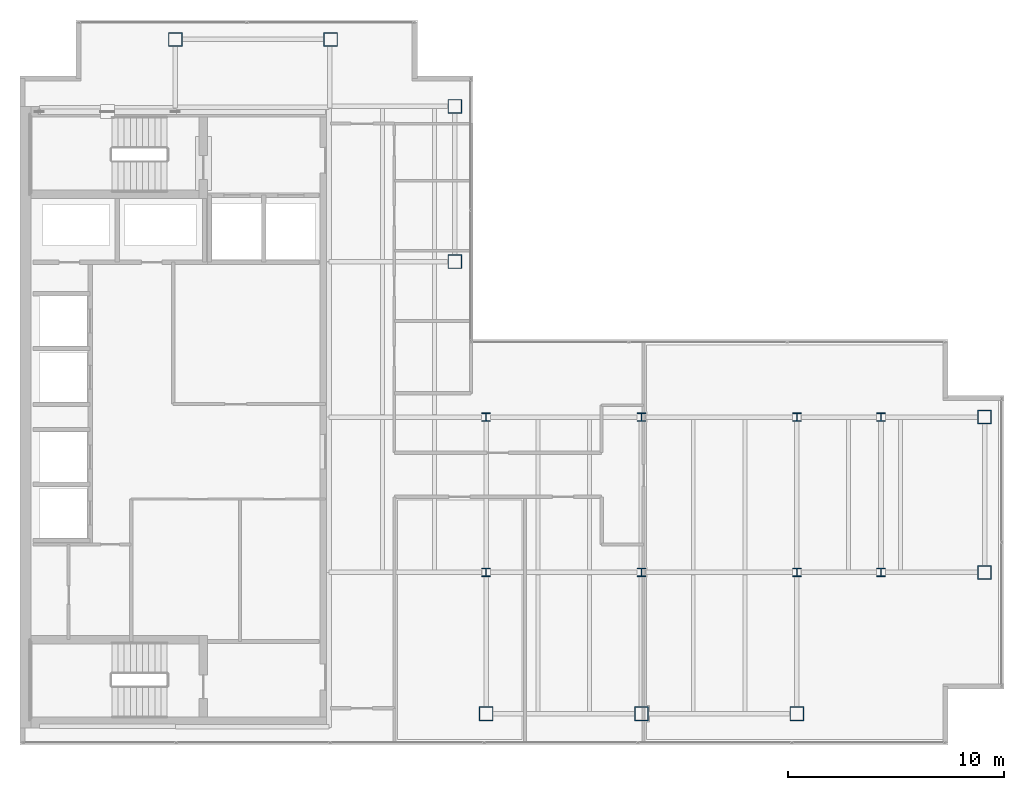
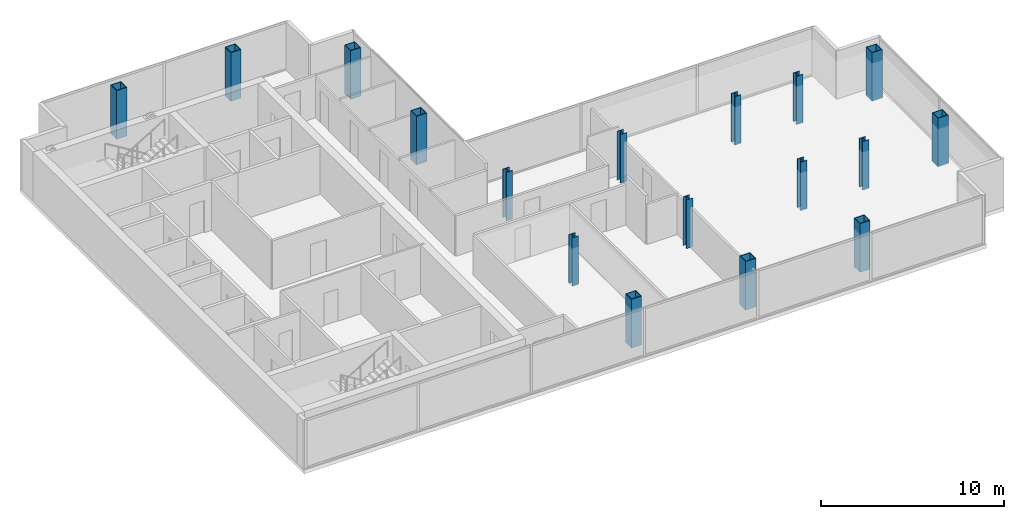
# One storey, part 1 of 23: 17 columns.
"""IFC4 building model written with IfcOpenShell, lengths in metres."""

import ifcopenshell
import ifcopenshell.guid

model = None  # the IFC model being written
_history = None  # IfcOwnerHistory: only IFC2X3 demands one
_inside = {}  # id of a spatial element -> (the spatial element, [elements in it])
_under = {}  # id of a project, library or spatial element -> (it, [spatial elements below it])
_declared = {}  # id of a project -> (the project, [libraries it declares])
_typed = {}  # id of a type object -> (the type object, [elements of that type])
_made_of = {}  # id of a material, layer set ... -> (it, [elements and type objects made of it])


def new_model(schema):
    """Start an empty IFC model of exactly this schema.

    Asked for "IFC4X3", IfcOpenShell would pick the latest addendum, in which some entities
    have other attributes; the version numbers below select the first issue.
    IFC2X3 requires an IfcOwnerHistory on every rooted entity: one is made here for all.
    """
    global model, _history
    if schema == "IFC4X3":
        model = ifcopenshell.file(schema_version=(4, 3, 0, 0))
    else:
        model = ifcopenshell.file(schema=schema)
    _inside.clear()
    _under.clear()
    _declared.clear()
    _typed.clear()
    _made_of.clear()
    _history = None
    if model.schema == "IFC2X3":
        org = make("IfcOrganization", Name="unknown")
        user = make(
            "IfcPersonAndOrganization",
            ThePerson=make("IfcPerson", FamilyName="unknown"),
            TheOrganization=org,
        )
        app = make(
            "IfcApplication",
            ApplicationDeveloper=org,
            Version="unknown",
            ApplicationFullName="unknown",
            ApplicationIdentifier="unknown",
        )
        _history = make(
            "IfcOwnerHistory",
            OwningUser=user,
            OwningApplication=app,
            ChangeAction="ADDED",
            CreationDate=0,
        )
    return model


def make(cls, **values):
    """One entity of the class cls with the attributes given. An attribute that is None is left unset."""
    return model.create_entity(
        cls, **{name: value for name, value in values.items() if value is not None}
    )


def rooted(cls, **values):
    """An entity with a GlobalId (a new one), such as an element, a storey or a relation."""
    return make(cls, GlobalId=ifcopenshell.guid.new(), OwnerHistory=_history, **values)


def si_unit(unit_type, name, prefix=None):
    """IfcSIUnit, for example si_unit("LENGTHUNIT", "METRE", prefix="MILLI")."""
    return make("IfcSIUnit", UnitType=unit_type, Prefix=prefix, Name=name)


def assignment(units):
    """IfcUnitAssignment: the units of a project."""
    return None if units is None else make("IfcUnitAssignment", Units=units)


def point(xyz):
    """IfcCartesianPoint."""
    return None if xyz is None else make("IfcCartesianPoint", Coordinates=xyz)


def direction(xyz):
    """IfcDirection."""
    return None if xyz is None else make("IfcDirection", DirectionRatios=xyz)


def frame(location, z_axis=None, x_axis=None):
    """IfcAxis2Placement3D, a coordinate frame: its origin and axes. An axis left out is left unset."""
    return make(
        "IfcAxis2Placement3D",
        Location=point(location),
        Axis=direction(z_axis),
        RefDirection=direction(x_axis),
    )


def frame_2d(location, x_axis=None):
    """IfcAxis2Placement2D, a coordinate frame in the plane: its origin and x axis."""
    return make(
        "IfcAxis2Placement2D", Location=point(location), RefDirection=direction(x_axis)
    )


def origin():
    """The frame at (0, 0, 0) with its axes left unset."""
    return frame((0.0, 0.0, 0.0))


def origin_2d():
    """The frame at (0, 0) in the plane with its x axis left unset."""
    return frame_2d((0.0, 0.0))


def place(relative_to, where):
    """IfcLocalPlacement: puts the frame where relative to a parent placement (None: the world)."""
    return make(
        "IfcLocalPlacement", PlacementRelTo=relative_to, RelativePlacement=where
    )


def context(
    kind, dimensions, precision=None, world=None, true_north=None, identifier=None
):
    """IfcGeometricRepresentationContext, for example the 3D "Model" context."""
    return make(
        "IfcGeometricRepresentationContext",
        ContextIdentifier=identifier,
        ContextType=kind,
        CoordinateSpaceDimension=dimensions,
        Precision=precision,
        WorldCoordinateSystem=world,
        TrueNorth=true_north,
    )


def subcontext(parent, identifier, kind, view, scale=None):
    """IfcGeometricRepresentationSubContext, for example "Body" below "Model"."""
    return make(
        "IfcGeometricRepresentationSubContext",
        ContextIdentifier=identifier,
        ContextType=kind,
        ParentContext=parent,
        TargetScale=scale,
        TargetView=view,
    )


def project(units=None, contexts=None):
    """IfcProject with its units and contexts."""
    return rooted(
        "IfcProject",
        Name="project",
        RepresentationContexts=contexts,
        UnitsInContext=assignment(units),
    )


def spatial(cls, under=None, at=None, **own):
    """A site, building, storey or space (cls), placed at a placement, below another one or the project."""
    s = rooted(cls, ObjectPlacement=at, **own)
    if under is not None:
        _under.setdefault(under.id(), (under, []))[1].append(s)
    return s


def profile(cls, at=None, kind="AREA", **sizes):
    """A parametric profile (cls). Its sizes go by their IFC names, for example OverallWidth=200.0."""
    return make(cls, ProfileType=kind, Position=at, **sizes)


def hollow_rectangle(**sizes):
    """IfcRectangleHollowProfileDef."""
    return profile("IfcRectangleHollowProfileDef", **sizes)


def i_section(**sizes):
    """IfcIShapeProfileDef."""
    return profile("IfcIShapeProfileDef", **sizes)


def extrude(swept, where, along, depth):
    """IfcExtrudedAreaSolid: the profile swept, set in the frame where, extruded along a direction by depth."""
    return make(
        "IfcExtrudedAreaSolid",
        SweptArea=swept,
        Position=where,
        ExtrudedDirection=direction(along),
        Depth=depth,
    )


def shape(context_of_items, identifier, shape_type, items):
    """IfcShapeRepresentation: the items that make up one representation, for example the "Body"."""
    return make(
        "IfcShapeRepresentation",
        ContextOfItems=context_of_items,
        RepresentationIdentifier=identifier,
        RepresentationType=shape_type,
        Items=items,
    )


def material(Name=None, Category=None):
    """IfcMaterial."""
    return make("IfcMaterial", Name=Name, Category=Category)


def material_profile(
    of_material, cross_section, Name=None, Category=None, Priority=None
):
    """IfcMaterialProfile: a cross section and its material."""
    return make(
        "IfcMaterialProfile",
        Name=Name,
        Material=of_material,
        Profile=cross_section,
        Priority=Priority,
        Category=Category,
    )


def profile_set(profiles, Name=None, composite=None):
    """IfcMaterialProfileSet."""
    return make(
        "IfcMaterialProfileSet",
        Name=Name,
        MaterialProfiles=profiles,
        CompositeProfile=composite,
    )


def made_of(thing, what):
    """Note that an element or type object is made of a material, layer set ...; save() writes the relation."""
    if what is not None:
        _made_of.setdefault(what.id(), (what, []))[1].append(thing)
    return thing


def type_object(cls, material=None, **own):
    """A type object (cls), such as IfcWallType, which elements share."""
    return made_of(rooted(cls, **own), material)


def element(
    cls,
    number,
    at=None,
    inside=None,
    cuts=None,
    type_object=None,
    material=None,
    context=None,
    identifier="Body",
    shape_type=None,
    held_by="IfcProductDefinitionShape",
    body=None,
    shapes=None,
    **own,
):
    """One element of the class cls, such as IfcWall. Its Tag is "e" and its number.

    at: its placement. inside: the storey or other place that contains it. cuts: it is an
    opening in that element (IfcRelVoidsElement). A single representation is given by context,
    identifier, shape_type and body (its items); several are given by shapes. held_by: the class
    of the entity that holds the representations. save() writes the other relations.
    """
    e = rooted(cls, Tag="e%d" % number, ObjectPlacement=at, **own)
    if body is not None:
        shapes = [shape(context, identifier, shape_type, body)]
    if shapes is not None:
        e.Representation = make(held_by, Representations=shapes)
    if inside is not None:
        _inside.setdefault(inside.id(), (inside, []))[1].append(e)
    if cuts is not None:
        rooted(
            "IfcRelVoidsElement", RelatingBuildingElement=cuts, RelatedOpeningElement=e
        )
    if type_object is not None:
        _typed.setdefault(type_object.id(), (type_object, []))[1].append(e)
    return made_of(e, material)


def aggregate(whole, parts):
    """IfcRelAggregates: a whole, such as a stair, and the parts it consists of."""
    return rooted("IfcRelAggregates", RelatingObject=whole, RelatedObjects=parts)


def save(model, path):
    """Write the relations noted so far, then the file.

    IfcRelAggregates (storeys below a building ...), IfcRelContainedInSpatialStructure (elements
    in a storey), IfcRelDefinesByType, IfcRelAssociatesMaterial and IfcRelDeclares: one each for
    every whole, place, type object, material and project.
    """
    for whole, parts in _under.values():
        aggregate(whole, parts)
    for where, things in _inside.values():
        rooted(
            "IfcRelContainedInSpatialStructure",
            RelatedElements=things,
            RelatingStructure=where,
        )
    for kind, things in _typed.values():
        rooted("IfcRelDefinesByType", RelatedObjects=things, RelatingType=kind)
    for what, things in _made_of.values():
        rooted("IfcRelAssociatesMaterial", RelatedObjects=things, RelatingMaterial=what)
    for by, libraries in _declared.values():
        rooted("IfcRelDeclares", RelatingContext=by, RelatedDefinitions=libraries)
    model.write(path)


model = new_model("IFC4")

# Units and contexts
model_context = context("Model", 3, precision=1e-05, world=origin(), true_north=direction((0.0, 1.0)))
body_context = subcontext(model_context, "Body", "Model", "MODEL_VIEW")
ifc_project = project(units=[si_unit("LENGTHUNIT", "METRE"), si_unit("AREAUNIT", "SQUARE_METRE"), si_unit("VOLUMEUNIT", "CUBIC_METRE"), si_unit("PLANEANGLEUNIT", "RADIAN"), si_unit("MASSUNIT", "GRAM", prefix="KILO")], contexts=[model_context])

# Site, building, storey
site_placement = place(None, origin())
site = spatial("IfcSite", under=ifc_project, at=site_placement, CompositionType="ELEMENT")
building_placement = place(site_placement, origin())
building = spatial("IfcBuilding", under=site, at=building_placement, Name="Cobrela Telecom Tower", CompositionType="ELEMENT")
storey_placement = place(building_placement, frame((0.0, 0.0, 262.14990234375)))
storey = spatial("IfcBuildingStorey", under=building, at=storey_placement, Name="L68", CompositionType="ELEMENT", Elevation=262.14990234375)

# Columns
ifc_material_1 = material(Name="Steel ASTM A992 Grade 50", Category="steel")
ifc_material_profile_1 = material_profile(ifc_material_1, i_section(OverallWidth=0.39892578125, OverallDepth=0.39404296875, WebThickness=0.022705078125, FlangeThickness=0.03662109375, FilletRadius=0.01806640625, at=origin_2d()), Name="W14X193")
ifc_profile_set_1 = profile_set([ifc_material_profile_1], Name="Steel ASTM A992 Grade 50")
column_type_1 = type_object("IfcColumnType", Name="COL-INT-06", PredefinedType="COLUMN", material=ifc_profile_set_1)
for number, where, z_axis, x_axis, name in (
    (1, (21.60009765625, 14.39990234375, 0.0), (0.0, 0.0, 1.0), (1.0, 0.0, 0.0), "L68 Interior Column 06"),
    (2, (21.60009765625, 21.60009765625, 0.0), (0.0, 0.0, 1.0), (1.0, 0.0, 0.0), "L68 Interior Column 07"),
    (3, (28.800048828125, 14.39990234375, 0.0), (0.0, 0.0, 1.0), (1.0, 0.0, 0.0), "L68 Interior Column 09"),
    (4, (28.800048828125, 21.60009765625, 0.0), (0.0, 0.0, 1.0), (1.0, 0.0, 0.0), "L68 Interior Column 10"),
    (5, (36.0, 14.39990234375, 0.0), (0.0, 0.0, 1.0), (1.0, 0.0, 0.0), "L68 Interior Column 12"),
    (6, (36.0, 21.60009765625, 0.0), (0.0, 0.0, 1.0), (1.0, 0.0, 0.0), "L68 Interior Column 13"),
    (7, (39.89990234375, 14.39990234375, 0.0), (0.0, 0.0, 1.0), (1.0, 0.0, 0.0), "L68 Interior Column 14"),
    (8, (39.89990234375, 21.60009765625, 0.0), (0.0, 0.0, 1.0), (1.0, 0.0, 0.0), "L68 Interior Column 15"),
):
    element("IfcColumn", number, at=place(storey_placement, frame(where, z_axis=z_axis, x_axis=x_axis)), inside=storey, type_object=column_type_1, Name=name, PredefinedType="COLUMN", context=body_context, shape_type="SweptSolid", body=[
        extrude(i_section(OverallWidth=0.39892578125, OverallDepth=0.39404296875, WebThickness=0.022705078125, FlangeThickness=0.03662109375, FilletRadius=0.01806640625, at=origin_2d()), origin(), (0.0, 0.0, 1.0), 3.239990234375),
    ])
ifc_material_2 = material(Name="Steel ASTM A572 Grade 50", Category="steel")
ifc_material_profile_2 = material_profile(ifc_material_2, hollow_rectangle(XDim=0.64990234375, YDim=0.64990234375, WallThickness=0.0400390625, at=origin_2d()), Name="BOX 650x650x40")
ifc_profile_set_2 = profile_set([ifc_material_profile_2], Name="Steel ASTM A572 Grade 50")
column_type_2 = type_object("IfcColumnType", Name="COL-MEGA-09", PredefinedType="COLUMN", material=ifc_profile_set_2)
for number, where, z_axis, x_axis, name in (
    (9, (7.199951171875, 39.10009765625, 0.0), (0.0, 0.0, 1.0), (1.0, 0.0, 0.0), "L68 Perimeter Mega-Column 01"),
    (10, (14.39990234375, 39.10009765625, 0.0), (0.0, 0.0, 1.0), (1.0, 0.0, 0.0), "L68 Perimeter Mega-Column 02"),
    (11, (20.14990234375, 28.800048828125, 0.0), (0.0, 0.0, 1.0), (1.0, 0.0, 0.0), "L68 Perimeter Mega-Column 03"),
    (12, (20.14990234375, 36.0, 0.0), (0.0, 0.0, 1.0), (1.0, 0.0, 0.0), "L68 Perimeter Mega-Column 04"),
    (13, (21.60009765625, 7.85009765625, 0.0), (0.0, 0.0, 1.0), (1.0, 0.0, 0.0), "L68 Perimeter Mega-Column 05"),
    (14, (28.800048828125, 7.85009765625, 0.0), (0.0, 0.0, 1.0), (1.0, 0.0, 0.0), "L68 Perimeter Mega-Column 08"),
    (15, (36.0, 7.85009765625, 0.0), (0.0, 0.0, 1.0), (1.0, 0.0, 0.0), "L68 Perimeter Mega-Column 11"),
    (16, (44.699951171875, 14.39990234375, 0.0), (0.0, 0.0, 1.0), (1.0, 0.0, 0.0), "L68 Perimeter Mega-Column 16"),
    (17, (44.699951171875, 21.60009765625, 0.0), (0.0, 0.0, 1.0), (1.0, 0.0, 0.0), "L68 Perimeter Mega-Column 17"),
):
    element("IfcColumn", number, at=place(storey_placement, frame(where, z_axis=z_axis, x_axis=x_axis)), inside=storey, type_object=column_type_2, Name=name, PredefinedType="COLUMN", context=body_context, shape_type="SweptSolid", body=[
        extrude(hollow_rectangle(XDim=0.64990234375, YDim=0.64990234375, WallThickness=0.0400390625, at=origin_2d()), origin(), (0.0, 0.0, 1.0), 3.239990234375),
    ])

save(model, "model.ifc")
